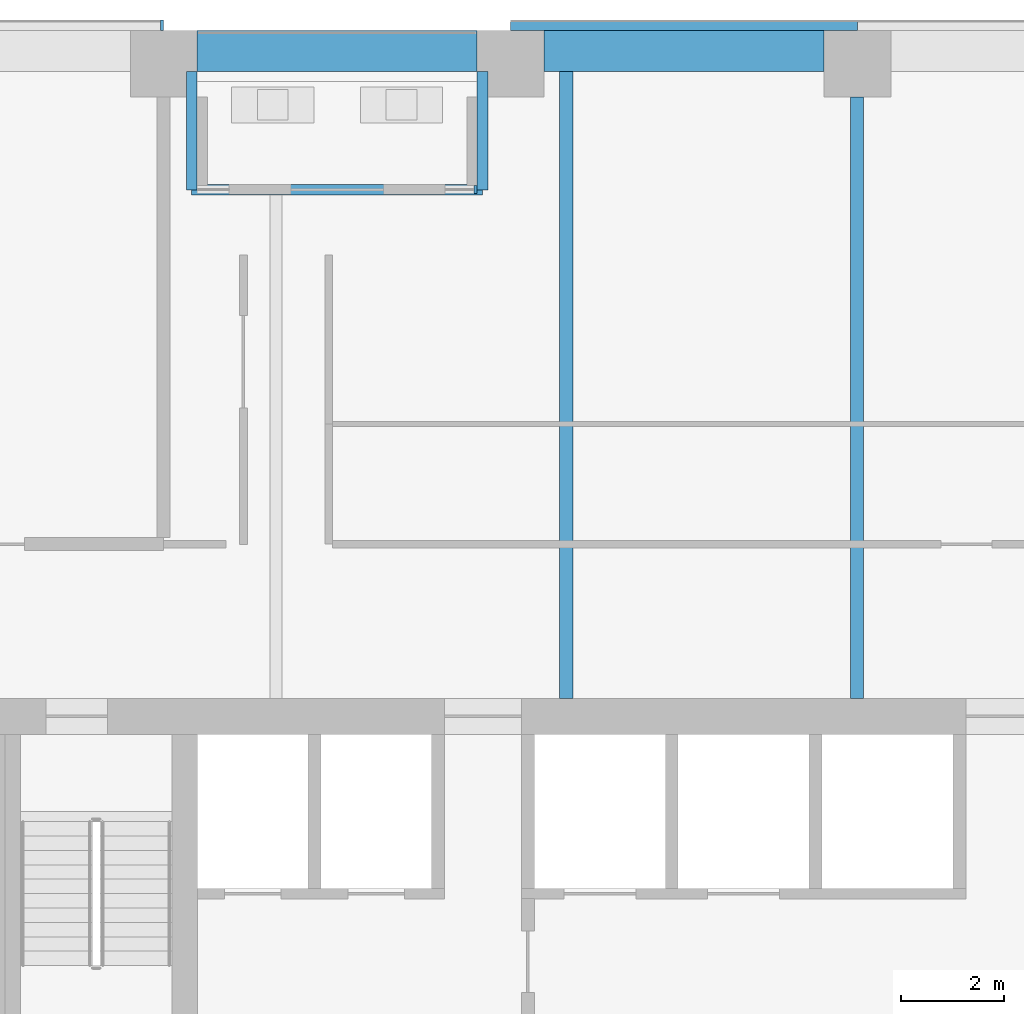
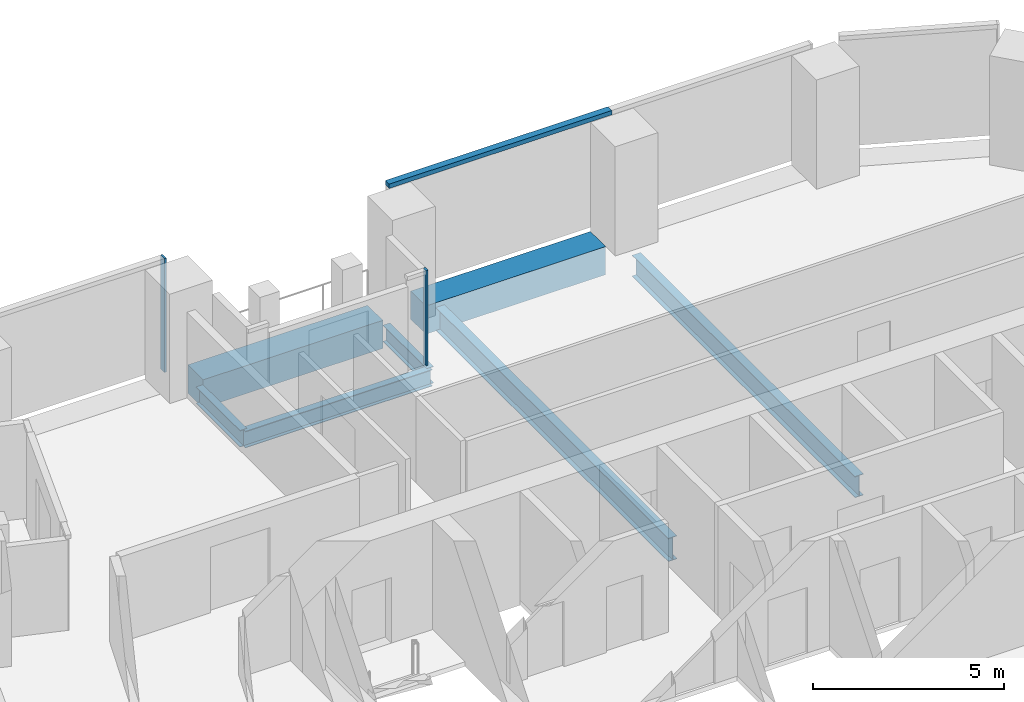
# One storey, part 9 of 26: 7 beams, 3 members, 2 elements without a shape of their own.
"""IFC4 building model written with IfcOpenShell, lengths in metres."""

from ifc_helpers import new_model, si_unit, direction, frame, origin, origin_2d, place, context, subcontext, project, spatial, rectangle, i_section, extrude, material, layer, layer_set, material_profile, profile_set, type_object, element, aggregate, save


model = new_model("IFC4")

# Units and contexts
model_context = context("Model", 3, precision=1e-05, world=origin(), true_north=direction((0.0, 1.0)))
body_context = subcontext(model_context, "Body", "Model", "MODEL_VIEW")
ifc_project = project(units=[si_unit("LENGTHUNIT", "METRE"), si_unit("AREAUNIT", "SQUARE_METRE"), si_unit("VOLUMEUNIT", "CUBIC_METRE"), si_unit("PLANEANGLEUNIT", "RADIAN"), si_unit("MASSUNIT", "GRAM", prefix="KILO")], contexts=[model_context])

# Site, building, storey
site_placement = place(None, origin())
site = spatial("IfcSite", under=ifc_project, at=site_placement, CompositionType="ELEMENT")
building_placement = place(site_placement, origin())
building = spatial("IfcBuilding", under=site, at=building_placement, Name="Isthmus Gate Tower", CompositionType="ELEMENT")
storey_placement = place(building_placement, frame((0.0, 0.0, 189.050048828125)))
storey = spatial("IfcBuildingStorey", under=building, at=storey_placement, Name="L47", CompositionType="ELEMENT", Elevation=189.050048828125)

# Curtain wall, members
ifc_material_1 = material(Name="Aluminium, pale champagne anodised", Category="aluminium")
ifc_layer_1 = layer(ifc_material_1, 0.199951171875)
ifc_layer_set_1 = layer_set([ifc_layer_1], Name="CW-1 UNITISED CURTAIN WALL 200 DEEP")
curtain_wall_type_1 = type_object("IfcCurtainWallType", Name="CW-1 UNITISED CURTAIN WALL 200 DEEP", PredefinedType="NOTDEFINED", material=ifc_layer_set_1)
curtain_wall_1_placement = place(storey_placement, origin())
curtain_wall_1 = element("IfcCurtainWall", 1, at=curtain_wall_1_placement, inside=storey, type_object=curtain_wall_type_1, Name="CW-1 N L47", PredefinedType="NOTDEFINED")
ifc_material_2 = material(Name="Aluminium, pale champagne anodised", Category="aluminium")
ifc_material_profile_1 = material_profile(ifc_material_2, rectangle(XDim=0.06005859375, YDim=0.199951171875, at=origin_2d()), Name="60x200")
ifc_profile_set_1 = profile_set([ifc_material_profile_1], Name="Aluminium, pale champagne anodised")
member_type_1 = type_object("IfcMemberType", Name="CW-1 MULLION 60 X 200", PredefinedType="MULLION", material=ifc_profile_set_1)
member_1_placement = place(storey_placement, frame((-11.241943359375, 28.10009765625, 0.0), z_axis=(0.0, 0.0, 1.0), x_axis=(-1.0, 0.0, 0.0)))
member_1 = element("IfcMember", 2, at=member_1_placement, type_object=member_type_1, Name="CW-1 mullion", PredefinedType="MULLION", context=body_context, shape_type="SweptSolid", body=[
    extrude(rectangle(XDim=0.06005859375, YDim=0.199951171875, at=origin_2d()), origin(), (0.0, 0.0, 1.0), 3.64990234375),
])
ifc_material_3 = material(Name="Aluminium, pale champagne anodised", Category="aluminium")
ifc_material_profile_2 = material_profile(ifc_material_3, rectangle(XDim=0.199951171875, YDim=0.139892578125, at=origin_2d()), Name="200x140")
ifc_profile_set_2 = profile_set([ifc_material_profile_2], Name="Aluminium, pale champagne anodised")
member_type_2 = type_object("IfcMemberType", Name="CW-1 TRANSOM 200 X 140", PredefinedType="USERDEFINED", material=ifc_profile_set_2)
member_2_placement = place(storey_placement, frame((2.288330078125, 28.10009765625, 3.579833984375), z_axis=(-1.0, 0.0, 0.0), x_axis=(0.0, -1.0, 0.0)))
member_2 = element("IfcMember", 3, at=member_2_placement, type_object=member_type_2, Name="CW-1 transom", ObjectType="TRANSOM", PredefinedType="USERDEFINED", context=body_context, shape_type="SweptSolid", body=[
    extrude(rectangle(XDim=0.199951171875, YDim=0.139892578125, at=origin_2d()), origin(), (0.0, 0.0, 1.0), 6.75),
])
aggregate(curtain_wall_1, [member_2, member_1])

# Curtain wall, member
ifc_material_4 = material(Name="Aluminium, pale champagne anodised", Category="aluminium")
ifc_layer_2 = layer(ifc_material_4, 0.14990234375)
ifc_layer_set_2 = layer_set([ifc_layer_2], Name="CW-6 LOGGIA BACK WALL GLAZING 150 DEEP")
curtain_wall_type_2 = type_object("IfcCurtainWallType", Name="CW-6 LOGGIA BACK WALL GLAZING 150 DEEP", PredefinedType="NOTDEFINED", material=ifc_layer_set_2)
curtain_wall_2_placement = place(storey_placement, origin())
curtain_wall_2 = element("IfcCurtainWall", 4, at=curtain_wall_2_placement, inside=storey, type_object=curtain_wall_type_2, Name="CW-6 N L47", PredefinedType="NOTDEFINED")
ifc_material_5 = material(Name="Aluminium, pale champagne anodised", Category="aluminium")
ifc_material_profile_3 = material_profile(ifc_material_5, rectangle(XDim=0.06005859375, YDim=0.14990234375, at=origin_2d()), Name="60x150")
ifc_profile_set_3 = profile_set([ifc_material_profile_3], Name="Aluminium, pale champagne anodised")
member_type_3 = type_object("IfcMemberType", Name="CW-6 MULLION 60 X 150", PredefinedType="MULLION", material=ifc_profile_set_3)
member_3_placement = place(storey_placement, frame((-5.1416015625, 24.89990234375, 0.0), z_axis=(0.0, 0.0, 1.0), x_axis=(-1.0, 0.0, 0.0)))
member_3 = element("IfcMember", 5, at=member_3_placement, type_object=member_type_3, Name="CW-6 mullion", PredefinedType="MULLION", context=body_context, shape_type="SweptSolid", body=[
    extrude(rectangle(XDim=0.06005859375, YDim=0.14990234375, at=origin_2d()), origin(), (0.0, 0.0, 1.0), 3.050048828125),
])
aggregate(curtain_wall_2, [member_3])

# Beams
ifc_material_6 = material(Name="Concrete f'c 60 MPa", Category="concrete")
ifc_material_profile_4 = material_profile(ifc_material_6, rectangle(XDim=0.800048828125, YDim=0.89990234375, at=origin_2d()), Name="RC 800X900")
ifc_profile_set_4 = profile_set([ifc_material_profile_4], Name="Concrete f'c 60 MPa")
beam_type_1 = type_object("IfcBeamType", Name="RC SPANDREL 800 X 900", PredefinedType="SPANDREL", material=ifc_profile_set_4)
beam_1_placement = place(storey_placement, frame((-10.561767578125, 27.60009765625, -0.449951171875), z_axis=(1.0, 0.0, 0.0), x_axis=(0.0, 1.0, 0.0)))
element("IfcBeam", 6, at=beam_1_placement, inside=storey, type_object=beam_type_1, Name="str-spandrel-L47-27", PredefinedType="SPANDREL", context=body_context, shape_type="SweptSolid", body=[
    extrude(rectangle(XDim=0.800048828125, YDim=0.89990234375, at=origin_2d()), origin(), (0.0, 0.0, 1.0), 5.449951171875),
])
beam_2_placement = place(storey_placement, frame((-3.811767578125, 27.60009765625, -0.449951171875), z_axis=(1.0, 0.0, 0.0), x_axis=(0.0, 1.0, 0.0)))
element("IfcBeam", 7, at=beam_2_placement, inside=storey, type_object=beam_type_1, Name="str-spandrel-L47-28", PredefinedType="SPANDREL", context=body_context, shape_type="SweptSolid", body=[
    extrude(rectangle(XDim=0.800048828125, YDim=0.89990234375, at=origin_2d()), origin(), (0.0, 0.0, 1.0), 5.4501953125),
])
ifc_material_7 = material(Name="Structural steel ASTM A992 Gr 50", Category="steel")
ifc_material_profile_5 = material_profile(ifc_material_7, i_section(OverallWidth=0.25390625, OverallDepth=0.679443359375, WebThickness=0.010986328125, FlangeThickness=0.015869140625, at=origin_2d()), Name="W27X84")
ifc_profile_set_5 = profile_set([ifc_material_profile_5], Name="Structural steel ASTM A992 Gr 50")
beam_type_2 = type_object("IfcBeamType", Name="STEEL FLOOR BEAM W27X84", PredefinedType="JOIST", material=ifc_profile_set_5)
beam_3_placement = place(storey_placement, frame((2.2783203125, 15.0, -0.48974609375), z_axis=(0.0, 1.0, 0.0), x_axis=(-1.0, 0.0, 0.0)))
element("IfcBeam", 8, at=beam_3_placement, inside=storey, type_object=beam_type_2, Name="str-beam-L47-08-04", PredefinedType="JOIST", context=body_context, shape_type="SweptSolid", body=[
    extrude(i_section(OverallWidth=0.25390625, OverallDepth=0.679443359375, WebThickness=0.010986328125, FlangeThickness=0.015869140625, at=origin_2d()), origin(), (0.0, 0.0, 1.0), 11.699951171875),
])
ifc_material_8 = material(Name="Structural steel ASTM A992 Gr 50", Category="steel")
ifc_material_profile_6 = material_profile(ifc_material_8, i_section(OverallWidth=0.263427734375, OverallDepth=0.749267578125, WebThickness=0.0126953125, FlangeThickness=0.015869140625, at=origin_2d()), Name="W30X90")
ifc_profile_set_6 = profile_set([ifc_material_profile_6], Name="Structural steel ASTM A992 Gr 50")
beam_type_3 = type_object("IfcBeamType", Name="STEEL FLOOR BEAM W30X90", PredefinedType="JOIST", material=ifc_profile_set_6)
beam_4_placement = place(storey_placement, frame((-3.37451171875, 15.0, -0.524658203125), z_axis=(0.0, 1.0, 0.0), x_axis=(-1.0, 0.0, 0.0)))
element("IfcBeam", 9, at=beam_4_placement, inside=storey, type_object=beam_type_3, Name="str-beam-L47-08-03", PredefinedType="JOIST", context=body_context, shape_type="SweptSolid", body=[
    extrude(i_section(OverallWidth=0.263427734375, OverallDepth=0.749267578125, WebThickness=0.0126953125, FlangeThickness=0.015869140625, at=origin_2d()), origin(), (0.0, 0.0, 1.0), 12.199951171875),
])
ifc_material_9 = material(Name="Structural steel ASTM A992 Gr 50", Category="steel")
ifc_material_profile_7 = material_profile(ifc_material_9, i_section(OverallWidth=0.20947265625, OverallDepth=0.533447265625, WebThickness=0.009521484375, FlangeThickness=0.015869140625, at=origin_2d()), Name="W21X62")
ifc_profile_set_7 = profile_set([ifc_material_profile_7], Name="Structural steel ASTM A992 Gr 50")
beam_type_4 = type_object("IfcBeamType", Name="STEEL TRIMMER W21X62", PredefinedType="BEAM", material=ifc_profile_set_7)
beam_5_placement = place(storey_placement, frame((-5.0068359375, 24.895263671875, -0.416748046875), z_axis=(-1.0, 0.0, 0.0), x_axis=(0.0, -1.0, 0.0)))
element("IfcBeam", 10, at=beam_5_placement, inside=storey, type_object=beam_type_4, Name="str-loggiatrim-L47-01-B", PredefinedType="BEAM", context=body_context, shape_type="SweptSolid", body=[
    extrude(i_section(OverallWidth=0.20947265625, OverallDepth=0.533447265625, WebThickness=0.009521484375, FlangeThickness=0.015869140625, at=origin_2d()), origin(), (0.0, 0.0, 1.0), 5.65966796875),
])
for number, where, z_axis, x_axis, name in (
    (11, (-5.0068359375, 27.199951171875, -0.416748046875), (0.0, -1.0, 0.0), (1.0, 0.0, 0.0), "str-loggiatrim-L47-01-A"),
    (12, (-10.66650390625, 27.199951171875, -0.416748046875), (0.0, -1.0, 0.0), (1.0, 0.0, 0.0), "str-loggiatrim-L47-01-C"),
):
    element("IfcBeam", number, at=place(storey_placement, frame(where, z_axis=z_axis, x_axis=x_axis)), inside=storey, type_object=beam_type_4, Name=name, PredefinedType="BEAM", context=body_context, shape_type="SweptSolid", body=[
        extrude(i_section(OverallWidth=0.20947265625, OverallDepth=0.533447265625, WebThickness=0.009521484375, FlangeThickness=0.015869140625, at=origin_2d()), origin(), (0.0, 0.0, 1.0), 2.3046875),
    ])

save(model, "model.ifc")
